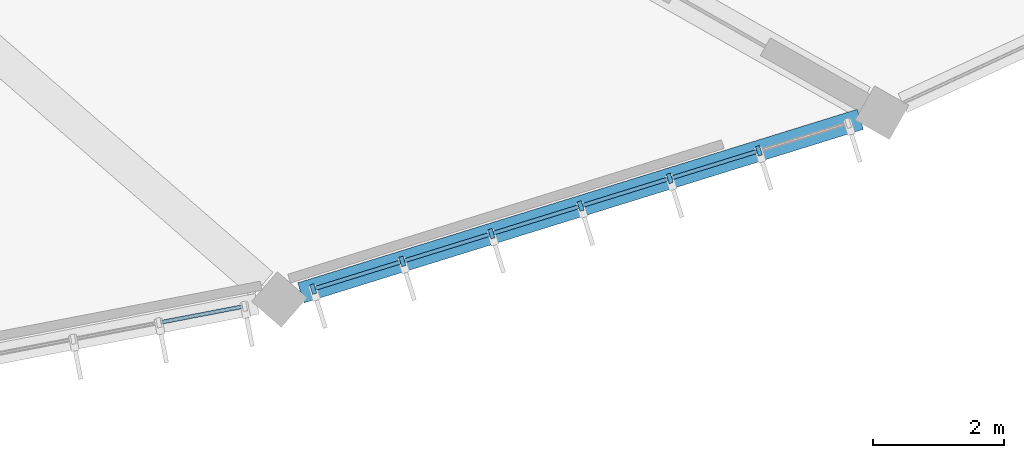
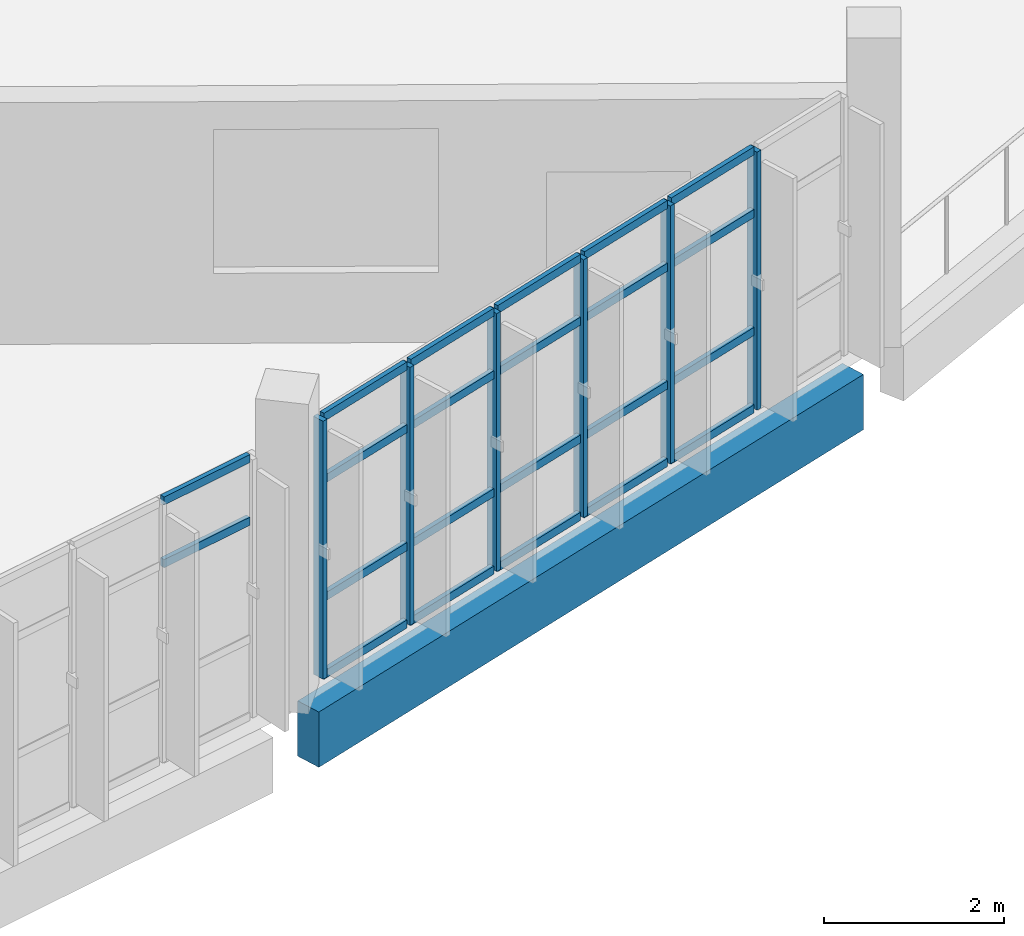
# One storey, part 36 of 142: 28 members, 1 beam, 2 elements without a shape of their own.
"""IFC4 building model written with IfcOpenShell, lengths in metres."""

from ifc_helpers import new_model, si_unit, direction, frame, origin, origin_2d, place, context, subcontext, project, spatial, rectangle, extrude, material, layer, layer_set, material_profile, profile_set, type_object, element, aggregate, save


model = new_model("IFC4")

# Units and contexts
model_context = context("Model", 3, precision=1e-05, world=origin(), true_north=direction((0.0, 1.0)))
body_context = subcontext(model_context, "Body", "Model", "MODEL_VIEW")
ifc_project = project(units=[si_unit("LENGTHUNIT", "METRE"), si_unit("AREAUNIT", "SQUARE_METRE"), si_unit("VOLUMEUNIT", "CUBIC_METRE"), si_unit("PLANEANGLEUNIT", "RADIAN"), si_unit("MASSUNIT", "GRAM", prefix="KILO")], contexts=[model_context])

# Site, building, storey
site_placement = place(None, origin())
site = spatial("IfcSite", under=ifc_project, at=site_placement, CompositionType="ELEMENT")
building_placement = place(site_placement, origin())
building = spatial("IfcBuilding", under=site, at=building_placement, Name="Corvandel Quay Wholesale Market", CompositionType="ELEMENT")
storey_placement = place(building_placement, frame((0.0, 0.0, 10.800048828125)))
storey = spatial("IfcBuildingStorey", under=building, at=storey_placement, Name="L02", CompositionType="ELEMENT", Elevation=10.800048828125)

# Curtain wall, members
ifc_material_1 = material(Name="Bronze anodised aluminium and low-E insulated glazing", Category="aluminium")
ifc_layer_1 = layer(ifc_material_1, 0.197998046875)
ifc_layer_set_1 = layer_set([ifc_layer_1], Name="Bronze anodised aluminium and low-E insulated glazing")
curtain_wall_type_1 = type_object("IfcCurtainWallType", Name="Stick Curtain Wall System CW09 H3810", PredefinedType="NOTDEFINED", material=ifc_layer_set_1)
curtain_wall_1_placement = place(storey_placement, origin())
curtain_wall_1 = element("IfcCurtainWall", 1, at=curtain_wall_1_placement, inside=storey, type_object=curtain_wall_type_1, Name="Curtain Wall CW-0123", PredefinedType="NOTDEFINED")
ifc_material_2 = material(Name="Anodised aluminium 6063-T6", Category="aluminium")
ifc_material_profile_1 = material_profile(ifc_material_2, rectangle(XDim=0.06494140625, YDim=0.14990234375, at=origin_2d()), Name="ALU-MUL-65x150")
ifc_profile_set_1 = profile_set([ifc_material_profile_1], Name="Anodised aluminium 6063-T6")
member_type_1 = type_object("IfcMemberType", Name="Curtain Wall Mullion ML02 65x150", PredefinedType="MULLION", material=ifc_profile_set_1)
member_1_placement = place(storey_placement, frame((141.041748046875, 93.118896484375, 0.0), z_axis=(0.0, 0.0, 1.0), x_axis=(0.955123398809, 0.296208192067, 0.0)))
member_1 = element("IfcMember", 2, at=member_1_placement, type_object=member_type_1, Name="Mullion CW-0123-M00", PredefinedType="MULLION", context=body_context, shape_type="SweptSolid", body=[
    extrude(rectangle(XDim=0.06494140625, YDim=0.14990234375, at=origin_2d()), origin(), (0.0, 0.0, 1.0), 3.5),
])
member_2_placement = place(storey_placement, frame((142.3984375, 93.539794921875, 0.0), z_axis=(0.0, 0.0, 1.0), x_axis=(0.955123398809, 0.296208192067, 0.0)))
member_2 = element("IfcMember", 3, at=member_2_placement, type_object=member_type_1, Name="Mullion CW-0123-M01", PredefinedType="MULLION", context=body_context, shape_type="SweptSolid", body=[
    extrude(rectangle(XDim=0.06494140625, YDim=0.14990234375, at=origin_2d()), origin(), (0.0, 0.0, 1.0), 3.5),
])
member_3_placement = place(storey_placement, frame((143.755126953125, 93.960693359375, 0.0), z_axis=(0.0, 0.0, 1.0), x_axis=(0.955123398809, 0.296208192067, 0.0)))
member_3 = element("IfcMember", 4, at=member_3_placement, type_object=member_type_1, Name="Mullion CW-0123-M02", PredefinedType="MULLION", context=body_context, shape_type="SweptSolid", body=[
    extrude(rectangle(XDim=0.06494140625, YDim=0.14990234375, at=origin_2d()), origin(), (0.0, 0.0, 1.0), 3.5),
])
member_4_placement = place(storey_placement, frame((145.112060546875, 94.381591796875, 0.0), z_axis=(0.0, 0.0, 1.0), x_axis=(0.955123398809, 0.296208192067, 0.0)))
member_4 = element("IfcMember", 5, at=member_4_placement, type_object=member_type_1, Name="Mullion CW-0123-M03", PredefinedType="MULLION", context=body_context, shape_type="SweptSolid", body=[
    extrude(rectangle(XDim=0.06494140625, YDim=0.14990234375, at=origin_2d()), origin(), (0.0, 0.0, 1.0), 3.5),
])
member_5_placement = place(storey_placement, frame((146.46875, 94.80224609375, 0.0), z_axis=(0.0, 0.0, 1.0), x_axis=(0.955123398809, 0.296208192067, 0.0)))
member_5 = element("IfcMember", 6, at=member_5_placement, type_object=member_type_1, Name="Mullion CW-0123-M04", PredefinedType="MULLION", context=body_context, shape_type="SweptSolid", body=[
    extrude(rectangle(XDim=0.06494140625, YDim=0.14990234375, at=origin_2d()), origin(), (0.0, 0.0, 1.0), 3.5),
])
member_6_placement = place(storey_placement, frame((147.825439453125, 95.22314453125, 0.0), z_axis=(0.0, 0.0, 1.0), x_axis=(0.955123398809, 0.296208192067, 0.0)))
member_6 = element("IfcMember", 7, at=member_6_placement, type_object=member_type_1, Name="Mullion CW-0123-M05", PredefinedType="MULLION", context=body_context, shape_type="SweptSolid", body=[
    extrude(rectangle(XDim=0.06494140625, YDim=0.14990234375, at=origin_2d()), origin(), (0.0, 0.0, 1.0), 3.5),
])

ifc_layer_2 = layer(ifc_material_1, 0.18603515625)
ifc_layer_set_2 = layer_set([ifc_layer_2], Name="Bronze anodised aluminium and low-E insulated glazing")
curtain_wall_type_2 = type_object("IfcCurtainWallType", Name="Stick Curtain Wall System CW08 H3720", PredefinedType="NOTDEFINED", material=ifc_layer_set_2)
curtain_wall_2_placement = place(storey_placement, origin())
curtain_wall_2 = element("IfcCurtainWall", 8, at=curtain_wall_2_placement, inside=storey, type_object=curtain_wall_type_2, Name="Curtain Wall CW-0120", PredefinedType="NOTDEFINED")
ifc_material_profile_2 = material_profile(ifc_material_2, rectangle(XDim=0.06005859375, YDim=0.110107421875, at=origin_2d()), Name="ALU-TRN-60x110")
ifc_profile_set_2 = profile_set([ifc_material_profile_2], Name="Anodised aluminium 6063-T6")
member_type_2 = type_object("IfcMemberType", Name="Curtain Wall Transom TR02 60x110", PredefinedType="USERDEFINED", material=ifc_profile_set_2)
member_7_placement = place(storey_placement, frame((138.723388671875, 92.6123046875, 2.64990234375), z_axis=(0.982010582361, 0.188825888401, 0.0), x_axis=(-0.188825888401, 0.982010582361, 0.0)))
member_7 = element("IfcMember", 9, at=member_7_placement, type_object=member_type_2, Name="Transom CW-0120-T06-2", ObjectType="TRANSOM", PredefinedType="USERDEFINED", context=body_context, shape_type="SweptSolid", body=[
    extrude(rectangle(XDim=0.06005859375, YDim=0.110107421875, at=origin_2d()), origin(), (0.0, 0.0, 1.0), 1.26318359375),
])
member_8_placement = place(storey_placement, frame((138.723388671875, 92.6123046875, 3.5), z_axis=(0.982010582361, 0.188825888401, 0.0), x_axis=(-0.188825888401, 0.982010582361, 0.0)))
member_8 = element("IfcMember", 10, at=member_8_placement, type_object=member_type_2, Name="Transom CW-0120-T06-3", ObjectType="TRANSOM", PredefinedType="USERDEFINED", context=body_context, shape_type="SweptSolid", body=[
    extrude(rectangle(XDim=0.06005859375, YDim=0.110107421875, at=origin_2d()), origin(), (0.0, 0.0, 1.0), 1.26318359375),
])
aggregate(curtain_wall_2, [member_7, member_8])

# Member
member_9_placement = place(storey_placement, frame((141.07275390625, 93.128662109375, 0.0), z_axis=(0.955102806569, 0.296274583595, 0.0), x_axis=(-0.296274583595, 0.955102806569, 0.0)))
member_9 = element("IfcMember", 11, at=member_9_placement, type_object=member_type_2, Name="Transom CW-0123-T00-0", ObjectType="TRANSOM", PredefinedType="USERDEFINED", context=body_context, shape_type="SweptSolid", body=[
    extrude(rectangle(XDim=0.06005859375, YDim=0.110107421875, at=origin_2d()), origin(), (0.0, 0.0, 1.0), 1.35546875),
])

member_10_placement = place(storey_placement, frame((141.07275390625, 93.128662109375, 1.050048828125), z_axis=(0.955102806569, 0.296274583595, 0.0), x_axis=(-0.296274583595, 0.955102806569, 0.0)))
member_10 = element("IfcMember", 12, at=member_10_placement, type_object=member_type_2, Name="Transom CW-0123-T00-1", ObjectType="TRANSOM", PredefinedType="USERDEFINED", context=body_context, shape_type="SweptSolid", body=[
    extrude(rectangle(XDim=0.06005859375, YDim=0.110107421875, at=origin_2d()), origin(), (0.0, 0.0, 1.0), 1.35546875),
])

member_11_placement = place(storey_placement, frame((141.07275390625, 93.128662109375, 2.64990234375), z_axis=(0.955102806569, 0.296274583595, 0.0), x_axis=(-0.296274583595, 0.955102806569, 0.0)))
member_11 = element("IfcMember", 13, at=member_11_placement, type_object=member_type_2, Name="Transom CW-0123-T00-2", ObjectType="TRANSOM", PredefinedType="USERDEFINED", context=body_context, shape_type="SweptSolid", body=[
    extrude(rectangle(XDim=0.06005859375, YDim=0.110107421875, at=origin_2d()), origin(), (0.0, 0.0, 1.0), 1.35546875),
])

member_12_placement = place(storey_placement, frame((141.07275390625, 93.128662109375, 3.5), z_axis=(0.955102806569, 0.296274583595, 0.0), x_axis=(-0.296274583595, 0.955102806569, 0.0)))
member_12 = element("IfcMember", 14, at=member_12_placement, type_object=member_type_2, Name="Transom CW-0123-T00-3", ObjectType="TRANSOM", PredefinedType="USERDEFINED", context=body_context, shape_type="SweptSolid", body=[
    extrude(rectangle(XDim=0.06005859375, YDim=0.110107421875, at=origin_2d()), origin(), (0.0, 0.0, 1.0), 1.35546875),
])

member_13_placement = place(storey_placement, frame((142.429443359375, 93.549560546875, 0.0), z_axis=(0.95515376027, 0.296110273786, 0.0), x_axis=(-0.296110273786, 0.95515376027, 0.0)))
member_13 = element("IfcMember", 15, at=member_13_placement, type_object=member_type_2, Name="Transom CW-0123-T01-0", ObjectType="TRANSOM", PredefinedType="USERDEFINED", context=body_context, shape_type="SweptSolid", body=[
    extrude(rectangle(XDim=0.06005859375, YDim=0.110107421875, at=origin_2d()), origin(), (0.0, 0.0, 1.0), 1.35546875),
])

member_14_placement = place(storey_placement, frame((142.429443359375, 93.549560546875, 1.050048828125), z_axis=(0.95515376027, 0.296110273786, 0.0), x_axis=(-0.296110273786, 0.95515376027, 0.0)))
member_14 = element("IfcMember", 16, at=member_14_placement, type_object=member_type_2, Name="Transom CW-0123-T01-1", ObjectType="TRANSOM", PredefinedType="USERDEFINED", context=body_context, shape_type="SweptSolid", body=[
    extrude(rectangle(XDim=0.06005859375, YDim=0.110107421875, at=origin_2d()), origin(), (0.0, 0.0, 1.0), 1.35546875),
])

member_15_placement = place(storey_placement, frame((142.429443359375, 93.549560546875, 2.64990234375), z_axis=(0.95515376027, 0.296110273786, 0.0), x_axis=(-0.296110273786, 0.95515376027, 0.0)))
member_15 = element("IfcMember", 17, at=member_15_placement, type_object=member_type_2, Name="Transom CW-0123-T01-2", ObjectType="TRANSOM", PredefinedType="USERDEFINED", context=body_context, shape_type="SweptSolid", body=[
    extrude(rectangle(XDim=0.06005859375, YDim=0.110107421875, at=origin_2d()), origin(), (0.0, 0.0, 1.0), 1.35546875),
])

member_16_placement = place(storey_placement, frame((142.429443359375, 93.549560546875, 3.5), z_axis=(0.95515376027, 0.296110273786, 0.0), x_axis=(-0.296110273786, 0.95515376027, 0.0)))
member_16 = element("IfcMember", 18, at=member_16_placement, type_object=member_type_2, Name="Transom CW-0123-T01-3", ObjectType="TRANSOM", PredefinedType="USERDEFINED", context=body_context, shape_type="SweptSolid", body=[
    extrude(rectangle(XDim=0.06005859375, YDim=0.110107421875, at=origin_2d()), origin(), (0.0, 0.0, 1.0), 1.35546875),
])

member_17_placement = place(storey_placement, frame((143.786376953125, 93.97021484375, 0.0), z_axis=(0.955102806569, 0.296274583595, 0.0), x_axis=(-0.296274583595, 0.955102806569, 0.0)))
member_17 = element("IfcMember", 19, at=member_17_placement, type_object=member_type_2, Name="Transom CW-0123-T02-0", ObjectType="TRANSOM", PredefinedType="USERDEFINED", context=body_context, shape_type="SweptSolid", body=[
    extrude(rectangle(XDim=0.06005859375, YDim=0.110107421875, at=origin_2d()), origin(), (0.0, 0.0, 1.0), 1.35546875),
])

member_18_placement = place(storey_placement, frame((143.786376953125, 93.97021484375, 1.050048828125), z_axis=(0.955102806569, 0.296274583595, 0.0), x_axis=(-0.296274583595, 0.955102806569, 0.0)))
member_18 = element("IfcMember", 20, at=member_18_placement, type_object=member_type_2, Name="Transom CW-0123-T02-1", ObjectType="TRANSOM", PredefinedType="USERDEFINED", context=body_context, shape_type="SweptSolid", body=[
    extrude(rectangle(XDim=0.06005859375, YDim=0.110107421875, at=origin_2d()), origin(), (0.0, 0.0, 1.0), 1.35546875),
])

member_19_placement = place(storey_placement, frame((143.786376953125, 93.97021484375, 2.64990234375), z_axis=(0.955102806569, 0.296274583595, 0.0), x_axis=(-0.296274583595, 0.955102806569, 0.0)))
member_19 = element("IfcMember", 21, at=member_19_placement, type_object=member_type_2, Name="Transom CW-0123-T02-2", ObjectType="TRANSOM", PredefinedType="USERDEFINED", context=body_context, shape_type="SweptSolid", body=[
    extrude(rectangle(XDim=0.06005859375, YDim=0.110107421875, at=origin_2d()), origin(), (0.0, 0.0, 1.0), 1.35546875),
])

member_20_placement = place(storey_placement, frame((143.786376953125, 93.97021484375, 3.5), z_axis=(0.955102806569, 0.296274583595, 0.0), x_axis=(-0.296274583595, 0.955102806569, 0.0)))
member_20 = element("IfcMember", 22, at=member_20_placement, type_object=member_type_2, Name="Transom CW-0123-T02-3", ObjectType="TRANSOM", PredefinedType="USERDEFINED", context=body_context, shape_type="SweptSolid", body=[
    extrude(rectangle(XDim=0.06005859375, YDim=0.110107421875, at=origin_2d()), origin(), (0.0, 0.0, 1.0), 1.35546875),
])

member_21_placement = place(storey_placement, frame((145.14306640625, 94.39111328125, 0.0), z_axis=(0.955102806569, 0.296274583595, 0.0), x_axis=(-0.296274583595, 0.955102806569, 0.0)))
member_21 = element("IfcMember", 23, at=member_21_placement, type_object=member_type_2, Name="Transom CW-0123-T03-0", ObjectType="TRANSOM", PredefinedType="USERDEFINED", context=body_context, shape_type="SweptSolid", body=[
    extrude(rectangle(XDim=0.06005859375, YDim=0.110107421875, at=origin_2d()), origin(), (0.0, 0.0, 1.0), 1.35546875),
])

member_22_placement = place(storey_placement, frame((145.14306640625, 94.39111328125, 1.050048828125), z_axis=(0.955102806569, 0.296274583595, 0.0), x_axis=(-0.296274583595, 0.955102806569, 0.0)))
member_22 = element("IfcMember", 24, at=member_22_placement, type_object=member_type_2, Name="Transom CW-0123-T03-1", ObjectType="TRANSOM", PredefinedType="USERDEFINED", context=body_context, shape_type="SweptSolid", body=[
    extrude(rectangle(XDim=0.06005859375, YDim=0.110107421875, at=origin_2d()), origin(), (0.0, 0.0, 1.0), 1.35546875),
])

member_23_placement = place(storey_placement, frame((145.14306640625, 94.39111328125, 2.64990234375), z_axis=(0.955102806569, 0.296274583595, 0.0), x_axis=(-0.296274583595, 0.955102806569, 0.0)))
member_23 = element("IfcMember", 25, at=member_23_placement, type_object=member_type_2, Name="Transom CW-0123-T03-2", ObjectType="TRANSOM", PredefinedType="USERDEFINED", context=body_context, shape_type="SweptSolid", body=[
    extrude(rectangle(XDim=0.06005859375, YDim=0.110107421875, at=origin_2d()), origin(), (0.0, 0.0, 1.0), 1.35546875),
])

member_24_placement = place(storey_placement, frame((145.14306640625, 94.39111328125, 3.5), z_axis=(0.955102806569, 0.296274583595, 0.0), x_axis=(-0.296274583595, 0.955102806569, 0.0)))
member_24 = element("IfcMember", 26, at=member_24_placement, type_object=member_type_2, Name="Transom CW-0123-T03-3", ObjectType="TRANSOM", PredefinedType="USERDEFINED", context=body_context, shape_type="SweptSolid", body=[
    extrude(rectangle(XDim=0.06005859375, YDim=0.110107421875, at=origin_2d()), origin(), (0.0, 0.0, 1.0), 1.35546875),
])

member_25_placement = place(storey_placement, frame((146.499755859375, 94.81201171875, 0.0), z_axis=(0.95515376027, 0.296110273786, 0.0), x_axis=(-0.296110273786, 0.95515376027, 0.0)))
member_25 = element("IfcMember", 27, at=member_25_placement, type_object=member_type_2, Name="Transom CW-0123-T04-0", ObjectType="TRANSOM", PredefinedType="USERDEFINED", context=body_context, shape_type="SweptSolid", body=[
    extrude(rectangle(XDim=0.06005859375, YDim=0.110107421875, at=origin_2d()), origin(), (0.0, 0.0, 1.0), 1.35546875),
])

member_26_placement = place(storey_placement, frame((146.499755859375, 94.81201171875, 1.050048828125), z_axis=(0.95515376027, 0.296110273786, 0.0), x_axis=(-0.296110273786, 0.95515376027, 0.0)))
member_26 = element("IfcMember", 28, at=member_26_placement, type_object=member_type_2, Name="Transom CW-0123-T04-1", ObjectType="TRANSOM", PredefinedType="USERDEFINED", context=body_context, shape_type="SweptSolid", body=[
    extrude(rectangle(XDim=0.06005859375, YDim=0.110107421875, at=origin_2d()), origin(), (0.0, 0.0, 1.0), 1.35546875),
])

member_27_placement = place(storey_placement, frame((146.499755859375, 94.81201171875, 2.64990234375), z_axis=(0.95515376027, 0.296110273786, 0.0), x_axis=(-0.296110273786, 0.95515376027, 0.0)))
member_27 = element("IfcMember", 29, at=member_27_placement, type_object=member_type_2, Name="Transom CW-0123-T04-2", ObjectType="TRANSOM", PredefinedType="USERDEFINED", context=body_context, shape_type="SweptSolid", body=[
    extrude(rectangle(XDim=0.06005859375, YDim=0.110107421875, at=origin_2d()), origin(), (0.0, 0.0, 1.0), 1.35546875),
])

member_28_placement = place(storey_placement, frame((146.499755859375, 94.81201171875, 3.5), z_axis=(0.95515376027, 0.296110273786, 0.0), x_axis=(-0.296110273786, 0.95515376027, 0.0)))
member_28 = element("IfcMember", 30, at=member_28_placement, type_object=member_type_2, Name="Transom CW-0123-T04-3", ObjectType="TRANSOM", PredefinedType="USERDEFINED", context=body_context, shape_type="SweptSolid", body=[
    extrude(rectangle(XDim=0.06005859375, YDim=0.110107421875, at=origin_2d()), origin(), (0.0, 0.0, 1.0), 1.35546875),
])

aggregate(curtain_wall_1, [member_1, member_2, member_3, member_4, member_5, member_6, member_9, member_10, member_11, member_12, member_13, member_14, member_15, member_16, member_17, member_18, member_19, member_20, member_21, member_22, member_23, member_24, member_25, member_26, member_27, member_28])

# Beam
ifc_material_3 = material(Name="Precast concrete C45/55", Category="concrete")
ifc_material_profile_3 = material_profile(ifc_material_3, rectangle(XDim=0.320068359375, YDim=0.75, at=origin_2d()), Name="PC-SPN-320x750")
ifc_profile_set_3 = profile_set([ifc_material_profile_3], Name="Precast concrete C45/55")
beam_type = type_object("IfcBeamType", Name="Pavilion Precast Spandrel SP02 320x750", PredefinedType="SPANDREL", material=ifc_profile_set_3)
beam_placement = place(storey_placement, frame((140.85546875, 93.061279296875, -0.695068359375), z_axis=(0.95510610539, 0.296263948949, 0.0), x_axis=(-0.296263948949, 0.95510610539, 0.0)))
element("IfcBeam", 31, at=beam_placement, inside=storey, type_object=beam_type, Name="Beam BM-0719", PredefinedType="SPANDREL", context=body_context, shape_type="SweptSolid", body=[
    extrude(rectangle(XDim=0.320068359375, YDim=0.75, at=origin_2d()), origin(), (0.0, 0.0, 1.0), 8.9130859375),
])

save(model, "model.ifc")
